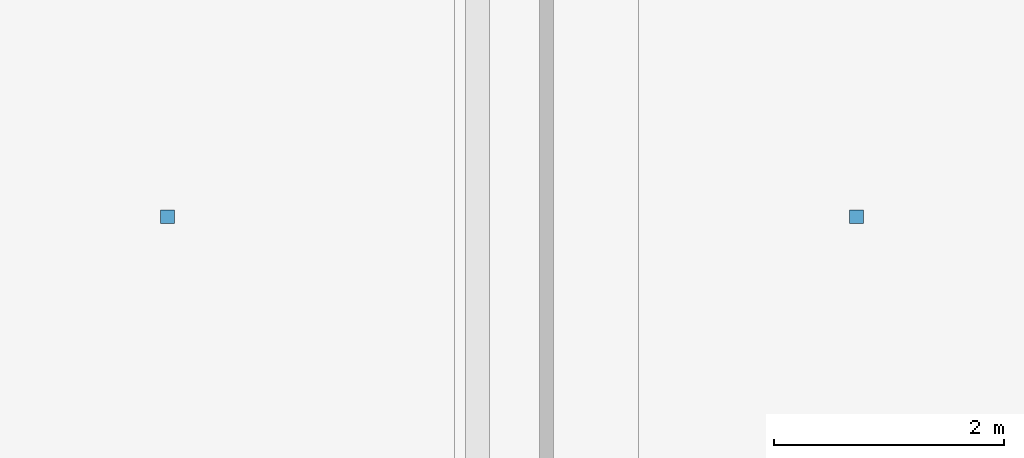
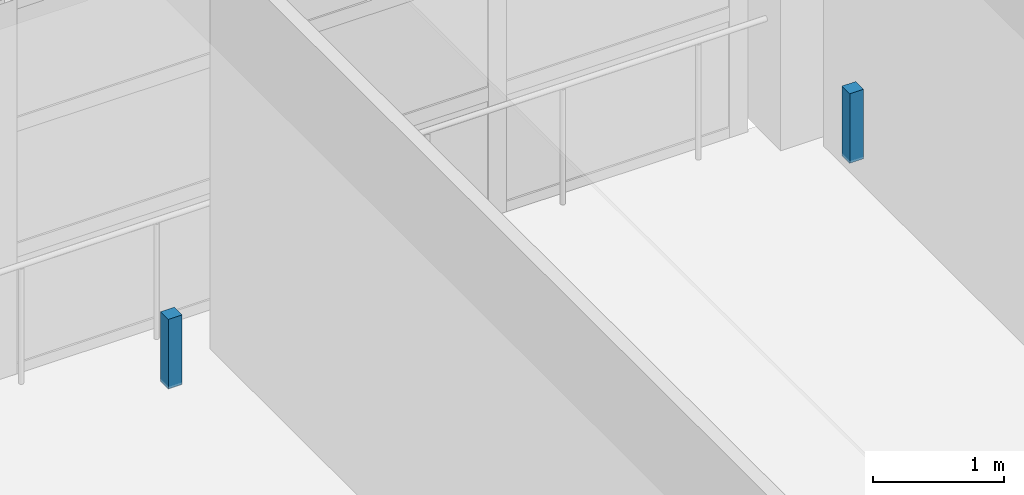
# One storey, part 108 of 143: 2 discrete accessories.
"""IFC4 building model written with IfcOpenShell, lengths in metres."""

from ifc_helpers import new_model, si_unit, direction, frame, origin, origin_2d, place, context, subcontext, project, spatial, rectangle, extrude, material, layer, layer_set, type_object, element, save


model = new_model("IFC4")

# Units and contexts
model_context = context("Model", 3, precision=1e-05, world=origin(), true_north=direction((0.0, 1.0)))
body_context = subcontext(model_context, "Body", "Model", "MODEL_VIEW")
ifc_project = project(units=[si_unit("LENGTHUNIT", "METRE"), si_unit("AREAUNIT", "SQUARE_METRE"), si_unit("VOLUMEUNIT", "CUBIC_METRE"), si_unit("PLANEANGLEUNIT", "RADIAN"), si_unit("MASSUNIT", "GRAM", prefix="KILO")], contexts=[model_context])

# Site, building, storey
site_placement = place(None, origin())
site = spatial("IfcSite", under=ifc_project, at=site_placement, CompositionType="ELEMENT")
building_placement = place(site_placement, origin())
building = spatial("IfcBuilding", under=site, at=building_placement, Name="Luwafu Chhajja Arena", CompositionType="ELEMENT")
storey_placement = place(building_placement, frame((0.0, 0.0, 5.39990234375)))
storey = spatial("IfcBuildingStorey", under=building, at=storey_placement, Name="L01", CompositionType="ELEMENT", Elevation=5.39990234375)

# Discrete accessories
ifc_material = material(Name="Stainless steel bracket", Category="steel")
ifc_layer = layer(ifc_material, 0.179931640625, Name="Stainless steel bracket")
ifc_layer_set = layer_set([ifc_layer], Name="Stainless steel bracket")
discrete_accessory_type = type_object("IfcDiscreteAccessoryType", Name="Stainless Steel Facade Support Bracket", PredefinedType="BRACKET", material=ifc_layer_set)
for number, where, z_axis, x_axis, name in (
    (1, (119.300048828125, 16.5, 3.86279296875), (0.0, 0.0, 1.0), (1.0, 0.0, 0.0), "L01 Ceiling Suspension Hanger 033"),
    (2, (125.300048828125, 16.5, 3.86279296875), (0.0, 0.0, 1.0), (1.0, 0.0, 0.0), "L01 Ceiling Suspension Hanger 034"),
):
    element("IfcDiscreteAccessory", number, at=place(storey_placement, frame(where, z_axis=z_axis, x_axis=x_axis)), inside=storey, type_object=discrete_accessory_type, Name=name, PredefinedType="BRACKET", context=body_context, shape_type="SweptSolid", body=[
        extrude(rectangle(XDim=0.1201171875, YDim=0.1201171875, at=origin_2d()), origin(), (0.0, 0.0, 1.0), 0.647216796875),
    ])

save(model, "model.ifc")
